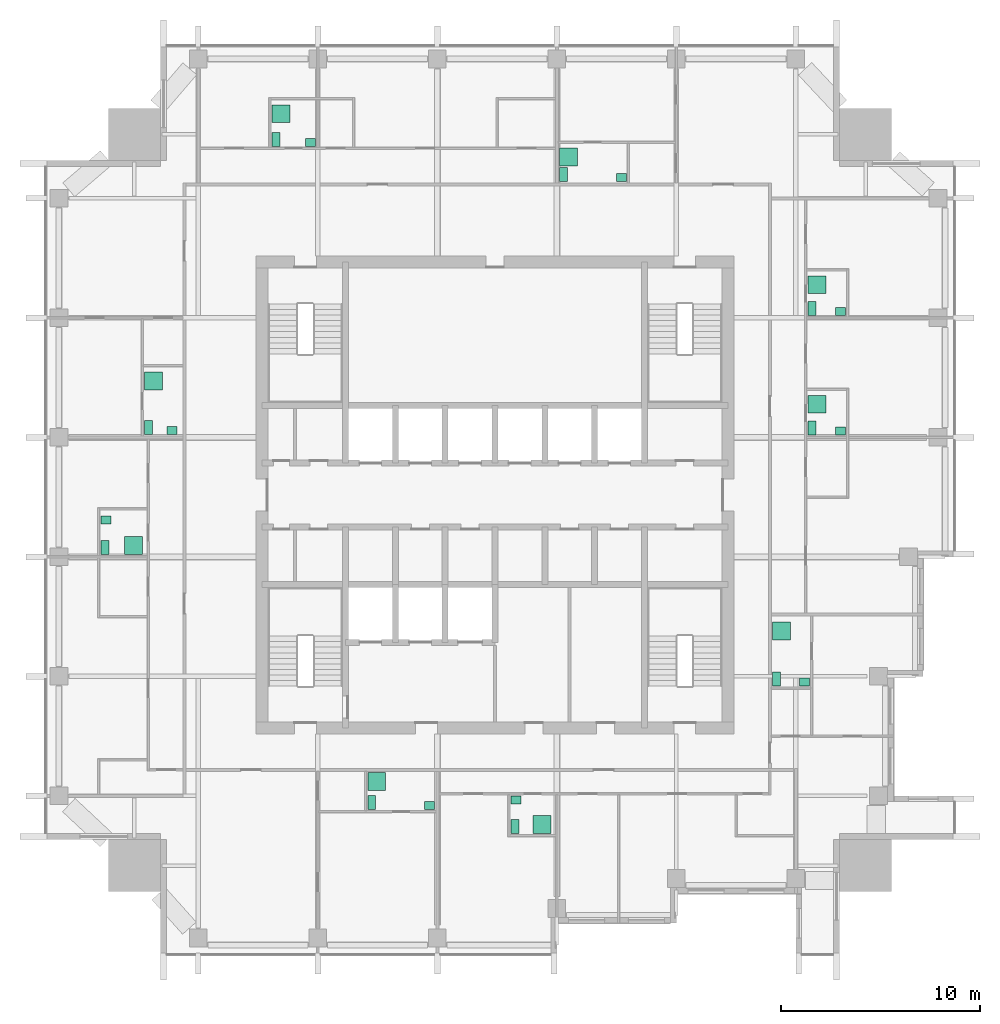
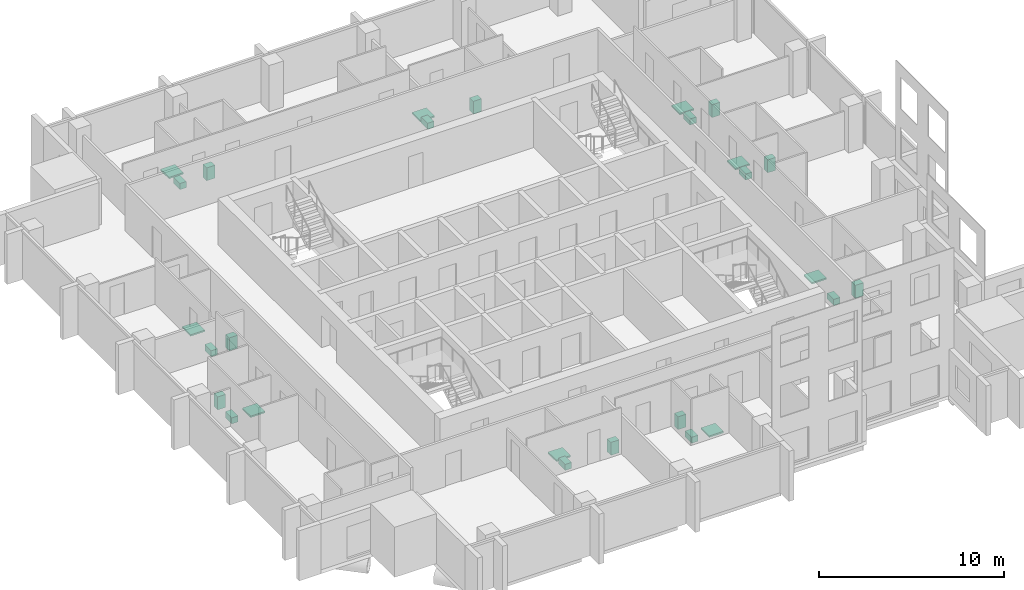
# One storey, part 12 of 12: 27 sanitary terminals.
"""IFC4 building model written with IfcOpenShell, lengths in metres."""

from ifc_helpers import new_model, si_unit, direction, frame, origin, origin_2d, place, context, subcontext, project, spatial, rectangle, extrude, element, save


model = new_model("IFC4")

# Units and contexts
model_context = context("Model", 3, precision=1e-05, world=origin(), true_north=direction((0.0, 1.0)))
body_context = subcontext(model_context, "Body", "Model", "MODEL_VIEW")
ifc_project = project(units=[si_unit("LENGTHUNIT", "METRE"), si_unit("AREAUNIT", "SQUARE_METRE"), si_unit("VOLUMEUNIT", "CUBIC_METRE"), si_unit("PLANEANGLEUNIT", "RADIAN"), si_unit("MASSUNIT", "GRAM", prefix="KILO")], contexts=[model_context])

# Site, building, storey
site_placement = place(None, origin())
site = spatial("IfcSite", under=ifc_project, at=site_placement, CompositionType="ELEMENT")
building_placement = place(site_placement, origin())
building = spatial("IfcBuilding", under=site, at=building_placement, Name="Amberfall Residences", CompositionType="ELEMENT")
storey_placement = place(building_placement, frame((0.0, 0.0, 187.0)))
storey = spatial("IfcBuildingStorey", under=building, at=storey_placement, Name="L49", CompositionType="ELEMENT", Elevation=187.0)

# Sanitary terminals
sanitary_terminal_1_placement = place(storey_placement, frame((68.31005859375, 30.06005859375, 0.0), z_axis=(0.0, 0.0, 1.0), x_axis=(1.0, 0.0, 0.0)))
element("IfcSanitaryTerminal", 1, at=sanitary_terminal_1_placement, inside=storey, Name="Water closet 4901", PredefinedType="TOILETPAN", context=body_context, shape_type="SweptSolid", body=[
    extrude(rectangle(XDim=0.39990234375, YDim=0.699951171875, at=origin_2d()), origin(), (0.0, 0.0, 1.0), 0.39990234375),
])
sanitary_terminal_2_placement = place(storey_placement, frame((71.215087890625, 29.909912109375, 0.0), z_axis=(0.0, 0.0, 1.0), x_axis=(1.0, 0.0, 0.0)))
element("IfcSanitaryTerminal", 2, at=sanitary_terminal_2_placement, inside=storey, Name="Basin 4901", PredefinedType="WASHHANDBASIN", context=body_context, shape_type="SweptSolid", body=[
    extrude(rectangle(XDim=0.5, YDim=0.39990234375, at=origin_2d()), origin(), (0.0, 0.0, 1.0), 0.85009765625),
])
sanitary_terminal_3_placement = place(storey_placement, frame((68.56005859375, 31.114990234375, 0.0), z_axis=(0.0, 0.0, 1.0), x_axis=(1.0, 0.0, 0.0)))
element("IfcSanitaryTerminal", 3, at=sanitary_terminal_3_placement, inside=storey, Name="Shower tray 4901", PredefinedType="SHOWER", context=body_context, shape_type="SweptSolid", body=[
    extrude(rectangle(XDim=0.89990234375, YDim=0.89990234375, at=origin_2d()), origin(), (0.0, 0.0, 1.0), 0.10009765625),
])
sanitary_terminal_4_placement = place(storey_placement, frame((75.510009765625, 28.860107421875, 0.0), z_axis=(0.0, 0.0, 1.0), x_axis=(1.0, 0.0, 0.0)))
element("IfcSanitaryTerminal", 4, at=sanitary_terminal_4_placement, inside=storey, Name="Water closet 4902", PredefinedType="TOILETPAN", context=body_context, shape_type="SweptSolid", body=[
    extrude(rectangle(XDim=0.39990234375, YDim=0.699951171875, at=origin_2d()), origin(), (0.0, 0.0, 1.0), 0.39990234375),
])
sanitary_terminal_5_placement = place(storey_placement, frame((75.56005859375, 30.18994140625, 0.0), z_axis=(0.0, 0.0, 1.0), x_axis=(1.0, 0.0, 0.0)))
element("IfcSanitaryTerminal", 5, at=sanitary_terminal_5_placement, inside=storey, Name="Basin 4902", PredefinedType="WASHHANDBASIN", context=body_context, shape_type="SweptSolid", body=[
    extrude(rectangle(XDim=0.5, YDim=0.39990234375, at=origin_2d()), origin(), (0.0, 0.0, 1.0), 0.85009765625),
])
sanitary_terminal_6_placement = place(storey_placement, frame((76.857177734375, 28.9599609375, 0.0), z_axis=(0.0, 0.0, 1.0), x_axis=(1.0, 0.0, 0.0)))
element("IfcSanitaryTerminal", 6, at=sanitary_terminal_6_placement, inside=storey, Name="Shower tray 4902", PredefinedType="SHOWER", context=body_context, shape_type="SweptSolid", body=[
    extrude(rectangle(XDim=0.89990234375, YDim=0.89990234375, at=origin_2d()), origin(), (0.0, 0.0, 1.0), 0.10009765625),
])
sanitary_terminal_7_placement = place(storey_placement, frame((88.635009765625, 36.260009765625, 0.0), z_axis=(0.0, 0.0, 1.0), x_axis=(1.0, 0.0, 0.0)))
element("IfcSanitaryTerminal", 7, at=sanitary_terminal_7_placement, inside=storey, Name="Water closet 4903", PredefinedType="TOILETPAN", context=body_context, shape_type="SweptSolid", body=[
    extrude(rectangle(XDim=0.39990234375, YDim=0.699951171875, at=origin_2d()), origin(), (0.0, 0.0, 1.0), 0.39990234375),
])
sanitary_terminal_8_placement = place(storey_placement, frame((90.0400390625, 36.110107421875, 0.0), z_axis=(0.0, 0.0, 1.0), x_axis=(1.0, 0.0, 0.0)))
element("IfcSanitaryTerminal", 8, at=sanitary_terminal_8_placement, inside=storey, Name="Basin 4903", PredefinedType="WASHHANDBASIN", context=body_context, shape_type="SweptSolid", body=[
    extrude(rectangle(XDim=0.5, YDim=0.39990234375, at=origin_2d()), origin(), (0.0, 0.0, 1.0), 0.85009765625),
])
sanitary_terminal_9_placement = place(storey_placement, frame((88.885009765625, 38.6826171875, 0.0), z_axis=(0.0, 0.0, 1.0), x_axis=(1.0, 0.0, 0.0)))
element("IfcSanitaryTerminal", 9, at=sanitary_terminal_9_placement, inside=storey, Name="Shower tray 4903", PredefinedType="SHOWER", context=body_context, shape_type="SweptSolid", body=[
    extrude(rectangle(XDim=0.89990234375, YDim=0.89990234375, at=origin_2d()), origin(), (0.0, 0.0, 1.0), 0.10009765625),
])
sanitary_terminal_10_placement = place(storey_placement, frame((90.409912109375, 48.860107421875, 0.0), z_axis=(0.0, 0.0, 1.0), x_axis=(1.0, 0.0, 0.0)))
element("IfcSanitaryTerminal", 10, at=sanitary_terminal_10_placement, inside=storey, Name="Water closet 4904", PredefinedType="TOILETPAN", context=body_context, shape_type="SweptSolid", body=[
    extrude(rectangle(XDim=0.39990234375, YDim=0.699951171875, at=origin_2d()), origin(), (0.0, 0.0, 1.0), 0.39990234375),
])
sanitary_terminal_11_placement = place(storey_placement, frame((91.840087890625, 48.7099609375, 0.0), z_axis=(0.0, 0.0, 1.0), x_axis=(1.0, 0.0, 0.0)))
element("IfcSanitaryTerminal", 11, at=sanitary_terminal_11_placement, inside=storey, Name="Basin 4904", PredefinedType="WASHHANDBASIN", context=body_context, shape_type="SweptSolid", body=[
    extrude(rectangle(XDim=0.5, YDim=0.39990234375, at=origin_2d()), origin(), (0.0, 0.0, 1.0), 0.85009765625),
])
sanitary_terminal_12_placement = place(storey_placement, frame((90.659912109375, 50.05712890625, 0.0), z_axis=(0.0, 0.0, 1.0), x_axis=(1.0, 0.0, 0.0)))
element("IfcSanitaryTerminal", 12, at=sanitary_terminal_12_placement, inside=storey, Name="Shower tray 4904", PredefinedType="SHOWER", context=body_context, shape_type="SweptSolid", body=[
    extrude(rectangle(XDim=0.89990234375, YDim=0.89990234375, at=origin_2d()), origin(), (0.0, 0.0, 1.0), 0.10009765625),
])
sanitary_terminal_13_placement = place(storey_placement, frame((90.409912109375, 54.860107421875, 0.0), z_axis=(0.0, 0.0, 1.0), x_axis=(1.0, 0.0, 0.0)))
element("IfcSanitaryTerminal", 13, at=sanitary_terminal_13_placement, inside=storey, Name="Water closet 4904", PredefinedType="TOILETPAN", context=body_context, shape_type="SweptSolid", body=[
    extrude(rectangle(XDim=0.39990234375, YDim=0.699951171875, at=origin_2d()), origin(), (0.0, 0.0, 1.0), 0.39990234375),
])
sanitary_terminal_14_placement = place(storey_placement, frame((91.840087890625, 54.7099609375, 0.0), z_axis=(0.0, 0.0, 1.0), x_axis=(1.0, 0.0, 0.0)))
element("IfcSanitaryTerminal", 14, at=sanitary_terminal_14_placement, inside=storey, Name="Basin 4904", PredefinedType="WASHHANDBASIN", context=body_context, shape_type="SweptSolid", body=[
    extrude(rectangle(XDim=0.5, YDim=0.39990234375, at=origin_2d()), origin(), (0.0, 0.0, 1.0), 0.85009765625),
])
sanitary_terminal_15_placement = place(storey_placement, frame((90.659912109375, 56.05712890625, 0.0), z_axis=(0.0, 0.0, 1.0), x_axis=(1.0, 0.0, 0.0)))
element("IfcSanitaryTerminal", 15, at=sanitary_terminal_15_placement, inside=storey, Name="Shower tray 4904", PredefinedType="SHOWER", context=body_context, shape_type="SweptSolid", body=[
    extrude(rectangle(XDim=0.89990234375, YDim=0.89990234375, at=origin_2d()), origin(), (0.0, 0.0, 1.0), 0.10009765625),
])
sanitary_terminal_16_placement = place(storey_placement, frame((63.510009765625, 63.360107421875, 0.0), z_axis=(0.0, 0.0, 1.0), x_axis=(1.0, 0.0, 0.0)))
element("IfcSanitaryTerminal", 16, at=sanitary_terminal_16_placement, inside=storey, Name="Water closet 4905", PredefinedType="TOILETPAN", context=body_context, shape_type="SweptSolid", body=[
    extrude(rectangle(XDim=0.39990234375, YDim=0.699951171875, at=origin_2d()), origin(), (0.0, 0.0, 1.0), 0.39990234375),
])
sanitary_terminal_17_placement = place(storey_placement, frame((65.239990234375, 63.2099609375, 0.0), z_axis=(0.0, 0.0, 1.0), x_axis=(1.0, 0.0, 0.0)))
element("IfcSanitaryTerminal", 17, at=sanitary_terminal_17_placement, inside=storey, Name="Basin 4905", PredefinedType="WASHHANDBASIN", context=body_context, shape_type="SweptSolid", body=[
    extrude(rectangle(XDim=0.5, YDim=0.39990234375, at=origin_2d()), origin(), (0.0, 0.0, 1.0), 0.85009765625),
])
sanitary_terminal_18_placement = place(storey_placement, frame((63.760009765625, 64.642822265625, 0.0), z_axis=(0.0, 0.0, 1.0), x_axis=(1.0, 0.0, 0.0)))
element("IfcSanitaryTerminal", 18, at=sanitary_terminal_18_placement, inside=storey, Name="Shower tray 4905", PredefinedType="SHOWER", context=body_context, shape_type="SweptSolid", body=[
    extrude(rectangle(XDim=0.89990234375, YDim=0.89990234375, at=origin_2d()), origin(), (0.0, 0.0, 1.0), 0.10009765625),
])
sanitary_terminal_19_placement = place(storey_placement, frame((77.93505859375, 61.5849609375, 0.0), z_axis=(0.0, 0.0, 1.0), x_axis=(1.0, 0.0, 0.0)))
element("IfcSanitaryTerminal", 19, at=sanitary_terminal_19_placement, inside=storey, Name="Water closet 4906", PredefinedType="TOILETPAN", context=body_context, shape_type="SweptSolid", body=[
    extrude(rectangle(XDim=0.39990234375, YDim=0.699951171875, at=origin_2d()), origin(), (0.0, 0.0, 1.0), 0.39990234375),
])
sanitary_terminal_20_placement = place(storey_placement, frame((80.840087890625, 61.43505859375, 0.0), z_axis=(0.0, 0.0, 1.0), x_axis=(1.0, 0.0, 0.0)))
element("IfcSanitaryTerminal", 20, at=sanitary_terminal_20_placement, inside=storey, Name="Basin 4906", PredefinedType="WASHHANDBASIN", context=body_context, shape_type="SweptSolid", body=[
    extrude(rectangle(XDim=0.5, YDim=0.39990234375, at=origin_2d()), origin(), (0.0, 0.0, 1.0), 0.85009765625),
])
sanitary_terminal_21_placement = place(storey_placement, frame((78.18505859375, 62.480712890625, 0.0), z_axis=(0.0, 0.0, 1.0), x_axis=(1.0, 0.0, 0.0)))
element("IfcSanitaryTerminal", 21, at=sanitary_terminal_21_placement, inside=storey, Name="Shower tray 4906", PredefinedType="SHOWER", context=body_context, shape_type="SweptSolid", body=[
    extrude(rectangle(XDim=0.89990234375, YDim=0.89990234375, at=origin_2d()), origin(), (0.0, 0.0, 1.0), 0.10009765625),
])
sanitary_terminal_22_placement = place(storey_placement, frame((54.909912109375, 42.860107421875, 0.0), z_axis=(0.0, 0.0, 1.0), x_axis=(1.0, 0.0, 0.0)))
element("IfcSanitaryTerminal", 22, at=sanitary_terminal_22_placement, inside=storey, Name="Water closet 4907", PredefinedType="TOILETPAN", context=body_context, shape_type="SweptSolid", body=[
    extrude(rectangle(XDim=0.39990234375, YDim=0.699951171875, at=origin_2d()), origin(), (0.0, 0.0, 1.0), 0.39990234375),
])
sanitary_terminal_23_placement = place(storey_placement, frame((54.9599609375, 44.235595703125, 0.0), z_axis=(0.0, 0.0, 1.0), x_axis=(1.0, 0.0, 0.0)))
element("IfcSanitaryTerminal", 23, at=sanitary_terminal_23_placement, inside=storey, Name="Basin 4907", PredefinedType="WASHHANDBASIN", context=body_context, shape_type="SweptSolid", body=[
    extrude(rectangle(XDim=0.5, YDim=0.39990234375, at=origin_2d()), origin(), (0.0, 0.0, 1.0), 0.85009765625),
])
sanitary_terminal_24_placement = place(storey_placement, frame((56.3427734375, 42.9599609375, 0.0), z_axis=(0.0, 0.0, 1.0), x_axis=(1.0, 0.0, 0.0)))
element("IfcSanitaryTerminal", 24, at=sanitary_terminal_24_placement, inside=storey, Name="Shower tray 4907", PredefinedType="SHOWER", context=body_context, shape_type="SweptSolid", body=[
    extrude(rectangle(XDim=0.89990234375, YDim=0.89990234375, at=origin_2d()), origin(), (0.0, 0.0, 1.0), 0.10009765625),
])
sanitary_terminal_25_placement = place(storey_placement, frame((57.110107421875, 48.885009765625, 0.0), z_axis=(0.0, 0.0, 1.0), x_axis=(1.0, 0.0, 0.0)))
element("IfcSanitaryTerminal", 25, at=sanitary_terminal_25_placement, inside=storey, Name="Water closet 4908", PredefinedType="TOILETPAN", context=body_context, shape_type="SweptSolid", body=[
    extrude(rectangle(XDim=0.39990234375, YDim=0.699951171875, at=origin_2d()), origin(), (0.0, 0.0, 1.0), 0.39990234375),
])
sanitary_terminal_26_placement = place(storey_placement, frame((58.2890625, 48.735107421875, 0.0), z_axis=(0.0, 0.0, 1.0), x_axis=(1.0, 0.0, 0.0)))
element("IfcSanitaryTerminal", 26, at=sanitary_terminal_26_placement, inside=storey, Name="Basin 4908", PredefinedType="WASHHANDBASIN", context=body_context, shape_type="SweptSolid", body=[
    extrude(rectangle(XDim=0.5, YDim=0.39990234375, at=origin_2d()), origin(), (0.0, 0.0, 1.0), 0.85009765625),
])
sanitary_terminal_27_placement = place(storey_placement, frame((57.360107421875, 51.216796875, 0.0), z_axis=(0.0, 0.0, 1.0), x_axis=(1.0, 0.0, 0.0)))
element("IfcSanitaryTerminal", 27, at=sanitary_terminal_27_placement, inside=storey, Name="Shower tray 4908", PredefinedType="SHOWER", context=body_context, shape_type="SweptSolid", body=[
    extrude(rectangle(XDim=0.89990234375, YDim=0.89990234375, at=origin_2d()), origin(), (0.0, 0.0, 1.0), 0.10009765625),
])

save(model, "model.ifc")
